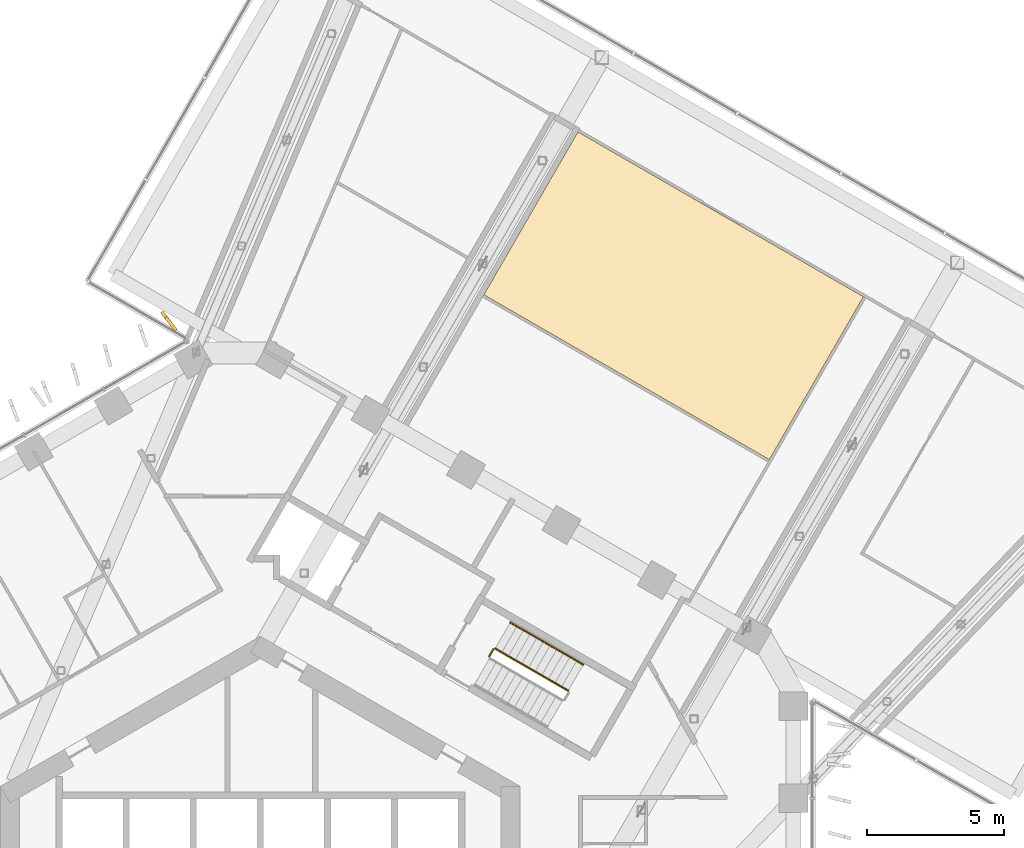
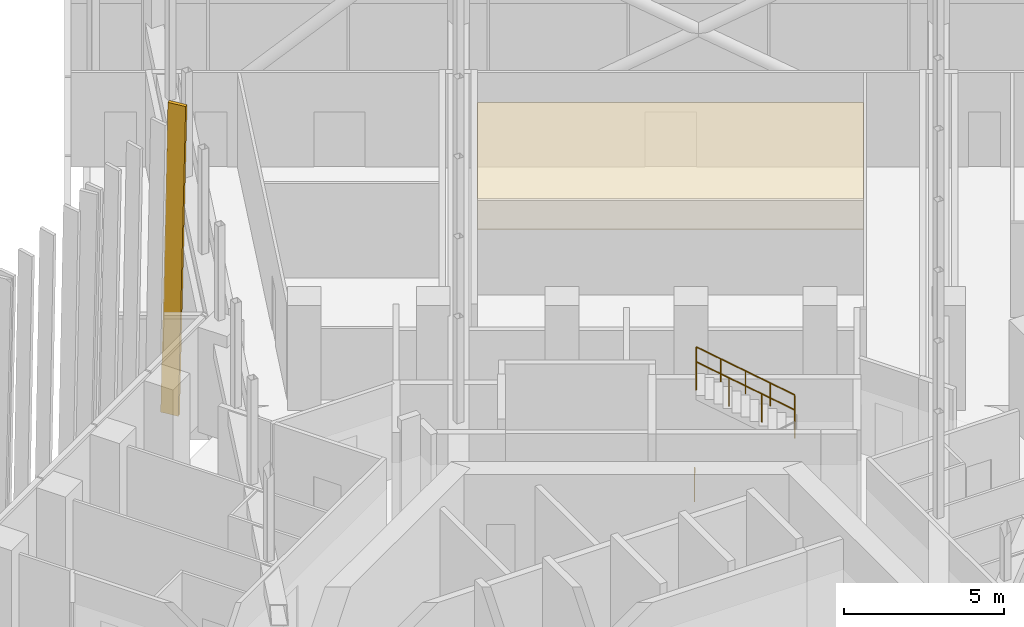
# One storey, part 31 of 31: 4 railings, 1 covering, 1 shading device.
"""IFC4 building model written with IfcOpenShell, lengths in metres."""

from ifc_helpers import new_model, si_unit, direction, frame, origin, origin_2d, place, context, subcontext, project, spatial, polyline, circle, outline, extrude, material, layer, layer_set, type_object, element, save


model = new_model("IFC4")

# Units and contexts
model_context = context("Model", 3, precision=1e-05, world=origin(), true_north=direction((0.0, 1.0)))
body_context = subcontext(model_context, "Body", "Model", "MODEL_VIEW")
ifc_project = project(units=[si_unit("LENGTHUNIT", "METRE"), si_unit("AREAUNIT", "SQUARE_METRE"), si_unit("VOLUMEUNIT", "CUBIC_METRE"), si_unit("PLANEANGLEUNIT", "RADIAN"), si_unit("MASSUNIT", "GRAM", prefix="KILO")], contexts=[model_context])

# Site, building, storey
site_placement = place(None, origin())
site = spatial("IfcSite", under=ifc_project, at=site_placement, CompositionType="ELEMENT")
building_placement = place(site_placement, origin())
building = spatial("IfcBuilding", under=site, at=building_placement, Name="Ayvan Gate Tower", CompositionType="ELEMENT")
storey_placement = place(building_placement, frame((0.0, 0.0, 135.89990234375)))
storey = spatial("IfcBuildingStorey", under=building, at=storey_placement, Name="L36", CompositionType="ELEMENT", Elevation=135.89990234375)

# Shading device
ifc_material_1 = material(Name="Bronze anodised aluminium", Category="aluminium")
ifc_layer_1 = layer(ifc_material_1, 0.1201171875)
ifc_layer_set_1 = layer_set([ifc_layer_1], Name="Bronze anodised aluminium")
shading_device_type = type_object("IfcShadingDeviceType", Name="Bronze fin 600 x 120", PredefinedType="USERDEFINED", material=ifc_layer_set_1)
shading_device_placement = place(storey_placement, frame((-3.18798828125, 22.3857421875, 0.0), z_axis=(0.79745399863, 0.603379734678, 0.000125894567), x_axis=(-0.603379739459, 0.79745400495, 0.0)))
element("IfcShadingDevice", 1, at=shading_device_placement, inside=storey, type_object=shading_device_type, Name="Bronze fin FG13.1.1", ObjectType="FIN", PredefinedType="USERDEFINED", context=body_context, shape_type="SweptSolid", body=[
    extrude(outline(polyline([(0.0, 0.0), (0.6000542000291014, 0.0), (0.35044891912022735, 11.880127047271696), (-0.249605280908874, 11.880127047271696), (0.0, 0.0)])), origin(), (0.0, 0.0, -1.0), 0.1201171875),
])

# Covering
ifc_material_2 = material(Name="Plasterboard suspended ceiling")
ifc_layer_2 = layer(ifc_material_2, 0.050048828125)
ifc_layer_set_2 = layer_set([ifc_layer_2], Name="Plasterboard suspended ceiling")
covering_type = type_object("IfcCoveringType", Name="CT-SUSP-50", PredefinedType="CEILING", material=ifc_layer_set_2)
covering_placement = place(storey_placement, frame((0.0, 0.0, 2.400146484375)))
element("IfcCovering", 2, at=covering_placement, inside=storey, type_object=covering_type, Name="Ceiling Social Lounge L36", PredefinedType="CEILING", context=body_context, shape_type="SweptSolid", body=[
    extrude(outline(polyline([(8.170166015625, 23.451171875), (11.608642578125, 29.40673828125), (22.044189453125, 23.3818359375), (18.605712890625, 17.426025390625), (8.170166015625, 23.451171875)])), origin(), (0.0, 0.0, 1.0), 0.050048828125),
])

# Railings
ifc_material_3 = material(Name="Stainless steel balustrade", Category="steel")
railing_type_1 = type_object("IfcRailingType", Name="RL-GUARD-1100", PredefinedType="GUARDRAIL", material=ifc_material_3)
railing_1_placement = place(storey_placement, frame((11.25341796875, 8.981689453125, 2.166748046875)))
element("IfcRailing", 3, at=railing_1_placement, inside=storey, type_object=railing_type_1, Name="L36 STS1 stair guard 3", PredefinedType="GUARDRAIL", context=body_context, shape_type="SweptSolid", body=[
    extrude(circle(Radius=0.02392578125, at=origin_2d()), frame((0.0, 0.0, 1.076171875), z_axis=(-0.74418122563, 0.429615651263, 0.511492615401), x_axis=(-0.499967199496, -0.866044340336, 0.0)), (0.0, 0.0, 1.0), 3.584228515625),
    extrude(circle(Radius=0.02099609375, at=origin_2d()), origin(), (0.0, 0.0, 1.0), 1.052001953125),
    extrude(circle(Radius=0.02099609375, at=origin_2d()), frame((-0.88916015625, 0.51318359375, 0.611083984375)), (0.0, 0.0, 1.0), 1.052001953125),
    extrude(circle(Radius=0.02099609375, at=origin_2d()), frame((-1.778076171875, 1.026611328125, 1.22216796875)), (0.0, 0.0, 1.0), 1.052001953125),
    extrude(circle(Radius=0.02099609375, at=origin_2d()), frame((-2.667236328125, 1.539794921875, 1.833251953125)), (0.0, 0.0, 1.0), 1.052001953125),
])
railing_2_placement = place(storey_placement, frame((8.36279296875, 10.23486328125, 0.0)))
element("IfcRailing", 4, at=railing_2_placement, inside=storey, type_object=railing_type_1, Name="L36 STS1 stair guard 4", PredefinedType="GUARDRAIL", context=body_context, shape_type="SweptSolid", body=[
    extrude(circle(Radius=0.02392578125, at=origin_2d()), frame((0.0, 0.0, 1.076171875), z_axis=(0.500290723946, 0.86585748916, 0.0), x_axis=(-0.86585748916, 0.500290723946, 0.0)), (0.0, 0.0, 1.0), 0.309814453125),
    extrude(circle(Radius=0.02099609375, at=origin_2d()), origin(), (0.0, 0.0, 1.0), 1.052001953125),
    extrude(circle(Radius=0.02099609375, at=origin_2d()), frame((0.155029296875, 0.268310546875, 0.0)), (0.0, 0.0, 1.0), 1.052001953125),
])
railing_type_2 = type_object("IfcRailingType", Name="RL-HANDRAIL-900", PredefinedType="HANDRAIL", material=ifc_material_3)
railing_3_placement = place(storey_placement, frame((11.803466796875, 9.93408203125, 2.166748046875)))
element("IfcRailing", 5, at=railing_3_placement, inside=storey, type_object=railing_type_2, Name="L36 STS1 stair handrail 3", PredefinedType="HANDRAIL", context=body_context, shape_type="SweptSolid", body=[
    extrude(circle(Radius=0.02392578125, at=origin_2d()), frame((0.0, 0.0, 0.8759765625), z_axis=(-0.7441639146, 0.429634447492, 0.511502013422), x_axis=(-0.499992328818, -0.866029832698, 0.0)), (0.0, 0.0, 1.0), 1.792236328125),
    extrude(circle(Radius=0.02099609375, at=origin_2d()), origin(), (0.0, 0.0, 1.0), 0.851806640625),
    extrude(circle(Radius=0.02099609375, at=origin_2d()), frame((-0.6669921875, 0.385009765625, 0.45849609375)), (0.0, 0.0, 1.0), 0.851806640625),
    extrude(circle(Radius=0.02099609375, at=origin_2d()), frame((-1.333740234375, 0.77001953125, 0.916748046875)), (0.0, 0.0, 1.0), 0.851806640625),
])
railing_4_placement = place(storey_placement, frame((10.4697265625, 10.7041015625, 3.08349609375)))
element("IfcRailing", 6, at=railing_4_placement, inside=storey, type_object=railing_type_2, Name="L36 STS1 stair handrail 4", PredefinedType="HANDRAIL", context=body_context, shape_type="SweptSolid", body=[
    extrude(circle(Radius=0.02392578125, at=origin_2d()), frame((0.0, 0.0, 0.8759765625), z_axis=(-0.744215763664, 0.42966438195, 0.511401423539), x_axis=(-0.499992328818, -0.866029832698, 0.0)), (0.0, 0.0, 1.0), 1.792236328125),
    extrude(circle(Radius=0.02099609375, at=origin_2d()), origin(), (0.0, 0.0, 1.0), 0.851806640625),
    extrude(circle(Radius=0.02099609375, at=origin_2d()), frame((-0.6669921875, 0.385009765625, 0.458251953125)), (0.0, 0.0, 1.0), 0.851806640625),
    extrude(circle(Radius=0.02099609375, at=origin_2d()), frame((-1.333740234375, 0.77001953125, 0.91650390625)), (0.0, 0.0, 1.0), 0.851806640625),
])

save(model, "model.ifc")
